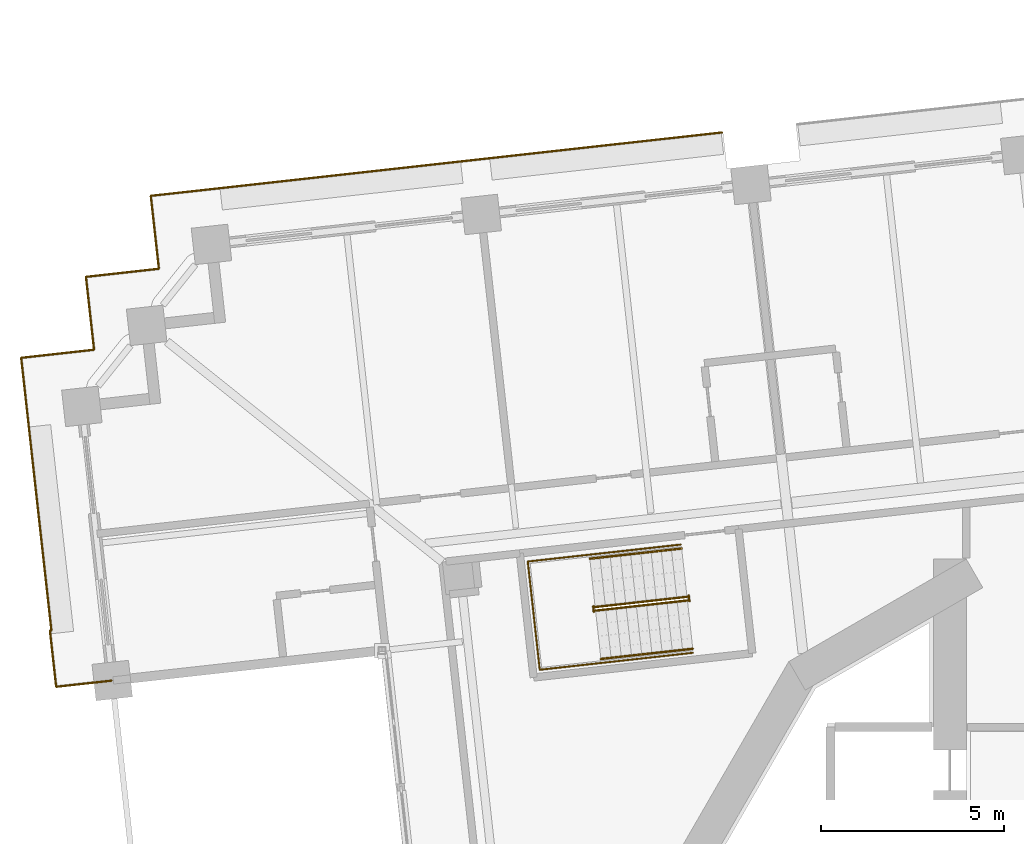
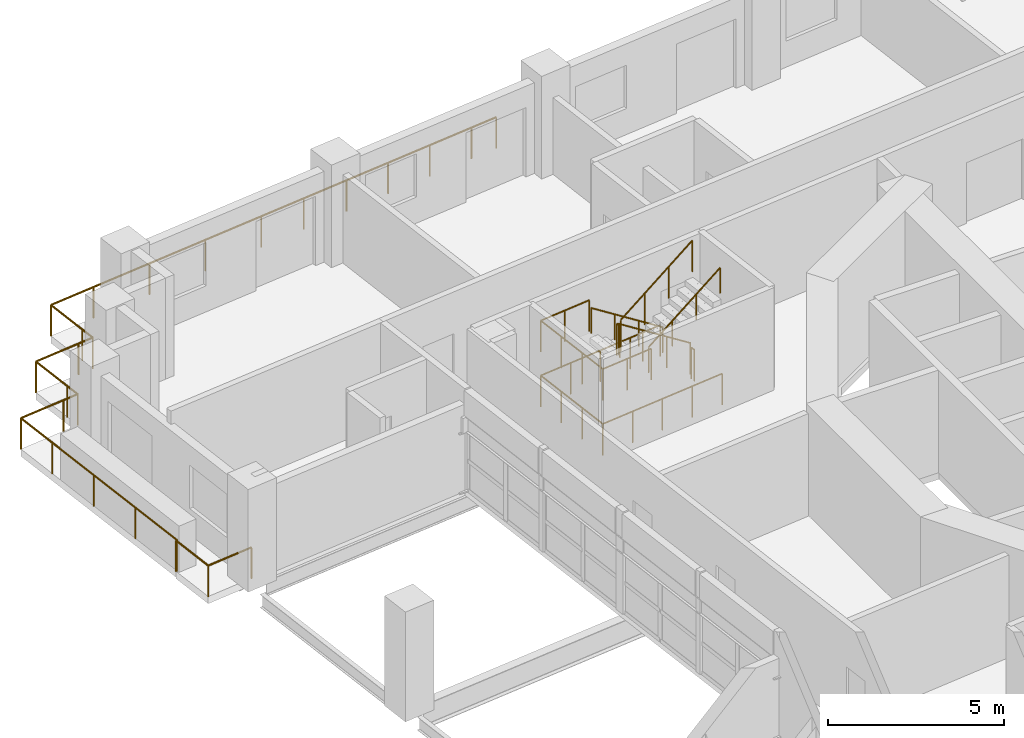
# One storey, part 18 of 21: 9 railings.
"""IFC4 building model written with IfcOpenShell, lengths in metres."""

import ifcopenshell
import ifcopenshell.guid

model = None  # the IFC model being written
_history = None  # IfcOwnerHistory: only IFC2X3 demands one
_inside = {}  # id of a spatial element -> (the spatial element, [elements in it])
_under = {}  # id of a project, library or spatial element -> (it, [spatial elements below it])
_declared = {}  # id of a project -> (the project, [libraries it declares])
_typed = {}  # id of a type object -> (the type object, [elements of that type])
_made_of = {}  # id of a material, layer set ... -> (it, [elements and type objects made of it])


def new_model(schema):
    """Start an empty IFC model of exactly this schema.

    Asked for "IFC4X3", IfcOpenShell would pick the latest addendum, in which some entities
    have other attributes; the version numbers below select the first issue.
    IFC2X3 requires an IfcOwnerHistory on every rooted entity: one is made here for all.
    """
    global model, _history
    if schema == "IFC4X3":
        model = ifcopenshell.file(schema_version=(4, 3, 0, 0))
    else:
        model = ifcopenshell.file(schema=schema)
    _inside.clear()
    _under.clear()
    _declared.clear()
    _typed.clear()
    _made_of.clear()
    _history = None
    if model.schema == "IFC2X3":
        org = make("IfcOrganization", Name="unknown")
        user = make(
            "IfcPersonAndOrganization",
            ThePerson=make("IfcPerson", FamilyName="unknown"),
            TheOrganization=org,
        )
        app = make(
            "IfcApplication",
            ApplicationDeveloper=org,
            Version="unknown",
            ApplicationFullName="unknown",
            ApplicationIdentifier="unknown",
        )
        _history = make(
            "IfcOwnerHistory",
            OwningUser=user,
            OwningApplication=app,
            ChangeAction="ADDED",
            CreationDate=0,
        )
    return model


def make(cls, **values):
    """One entity of the class cls with the attributes given. An attribute that is None is left unset."""
    return model.create_entity(
        cls, **{name: value for name, value in values.items() if value is not None}
    )


def rooted(cls, **values):
    """An entity with a GlobalId (a new one), such as an element, a storey or a relation."""
    return make(cls, GlobalId=ifcopenshell.guid.new(), OwnerHistory=_history, **values)


def si_unit(unit_type, name, prefix=None):
    """IfcSIUnit, for example si_unit("LENGTHUNIT", "METRE", prefix="MILLI")."""
    return make("IfcSIUnit", UnitType=unit_type, Prefix=prefix, Name=name)


def assignment(units):
    """IfcUnitAssignment: the units of a project."""
    return None if units is None else make("IfcUnitAssignment", Units=units)


def point(xyz):
    """IfcCartesianPoint."""
    return None if xyz is None else make("IfcCartesianPoint", Coordinates=xyz)


def direction(xyz):
    """IfcDirection."""
    return None if xyz is None else make("IfcDirection", DirectionRatios=xyz)


def frame(location, z_axis=None, x_axis=None):
    """IfcAxis2Placement3D, a coordinate frame: its origin and axes. An axis left out is left unset."""
    return make(
        "IfcAxis2Placement3D",
        Location=point(location),
        Axis=direction(z_axis),
        RefDirection=direction(x_axis),
    )


def frame_2d(location, x_axis=None):
    """IfcAxis2Placement2D, a coordinate frame in the plane: its origin and x axis."""
    return make(
        "IfcAxis2Placement2D", Location=point(location), RefDirection=direction(x_axis)
    )


def origin():
    """The frame at (0, 0, 0) with its axes left unset."""
    return frame((0.0, 0.0, 0.0))


def origin_2d():
    """The frame at (0, 0) in the plane with its x axis left unset."""
    return frame_2d((0.0, 0.0))


def place(relative_to, where):
    """IfcLocalPlacement: puts the frame where relative to a parent placement (None: the world)."""
    return make(
        "IfcLocalPlacement", PlacementRelTo=relative_to, RelativePlacement=where
    )


def context(
    kind, dimensions, precision=None, world=None, true_north=None, identifier=None
):
    """IfcGeometricRepresentationContext, for example the 3D "Model" context."""
    return make(
        "IfcGeometricRepresentationContext",
        ContextIdentifier=identifier,
        ContextType=kind,
        CoordinateSpaceDimension=dimensions,
        Precision=precision,
        WorldCoordinateSystem=world,
        TrueNorth=true_north,
    )


def subcontext(parent, identifier, kind, view, scale=None):
    """IfcGeometricRepresentationSubContext, for example "Body" below "Model"."""
    return make(
        "IfcGeometricRepresentationSubContext",
        ContextIdentifier=identifier,
        ContextType=kind,
        ParentContext=parent,
        TargetScale=scale,
        TargetView=view,
    )


def project(units=None, contexts=None):
    """IfcProject with its units and contexts."""
    return rooted(
        "IfcProject",
        Name="project",
        RepresentationContexts=contexts,
        UnitsInContext=assignment(units),
    )


def spatial(cls, under=None, at=None, **own):
    """A site, building, storey or space (cls), placed at a placement, below another one or the project."""
    s = rooted(cls, ObjectPlacement=at, **own)
    if under is not None:
        _under.setdefault(under.id(), (under, []))[1].append(s)
    return s


def profile(cls, at=None, kind="AREA", **sizes):
    """A parametric profile (cls). Its sizes go by their IFC names, for example OverallWidth=200.0."""
    return make(cls, ProfileType=kind, Position=at, **sizes)


def circle(**sizes):
    """IfcCircleProfileDef."""
    return profile("IfcCircleProfileDef", **sizes)


def extrude(swept, where, along, depth):
    """IfcExtrudedAreaSolid: the profile swept, set in the frame where, extruded along a direction by depth."""
    return make(
        "IfcExtrudedAreaSolid",
        SweptArea=swept,
        Position=where,
        ExtrudedDirection=direction(along),
        Depth=depth,
    )


def shape(context_of_items, identifier, shape_type, items):
    """IfcShapeRepresentation: the items that make up one representation, for example the "Body"."""
    return make(
        "IfcShapeRepresentation",
        ContextOfItems=context_of_items,
        RepresentationIdentifier=identifier,
        RepresentationType=shape_type,
        Items=items,
    )


def material(Name=None, Category=None):
    """IfcMaterial."""
    return make("IfcMaterial", Name=Name, Category=Category)


def made_of(thing, what):
    """Note that an element or type object is made of a material, layer set ...; save() writes the relation."""
    if what is not None:
        _made_of.setdefault(what.id(), (what, []))[1].append(thing)
    return thing


def type_object(cls, material=None, **own):
    """A type object (cls), such as IfcWallType, which elements share."""
    return made_of(rooted(cls, **own), material)


def element(
    cls,
    number,
    at=None,
    inside=None,
    cuts=None,
    type_object=None,
    material=None,
    context=None,
    identifier="Body",
    shape_type=None,
    held_by="IfcProductDefinitionShape",
    body=None,
    shapes=None,
    **own,
):
    """One element of the class cls, such as IfcWall. Its Tag is "e" and its number.

    at: its placement. inside: the storey or other place that contains it. cuts: it is an
    opening in that element (IfcRelVoidsElement). A single representation is given by context,
    identifier, shape_type and body (its items); several are given by shapes. held_by: the class
    of the entity that holds the representations. save() writes the other relations.
    """
    e = rooted(cls, Tag="e%d" % number, ObjectPlacement=at, **own)
    if body is not None:
        shapes = [shape(context, identifier, shape_type, body)]
    if shapes is not None:
        e.Representation = make(held_by, Representations=shapes)
    if inside is not None:
        _inside.setdefault(inside.id(), (inside, []))[1].append(e)
    if cuts is not None:
        rooted(
            "IfcRelVoidsElement", RelatingBuildingElement=cuts, RelatedOpeningElement=e
        )
    if type_object is not None:
        _typed.setdefault(type_object.id(), (type_object, []))[1].append(e)
    return made_of(e, material)


def aggregate(whole, parts):
    """IfcRelAggregates: a whole, such as a stair, and the parts it consists of."""
    return rooted("IfcRelAggregates", RelatingObject=whole, RelatedObjects=parts)


def save(model, path):
    """Write the relations noted so far, then the file.

    IfcRelAggregates (storeys below a building ...), IfcRelContainedInSpatialStructure (elements
    in a storey), IfcRelDefinesByType, IfcRelAssociatesMaterial and IfcRelDeclares: one each for
    every whole, place, type object, material and project.
    """
    for whole, parts in _under.values():
        aggregate(whole, parts)
    for where, things in _inside.values():
        rooted(
            "IfcRelContainedInSpatialStructure",
            RelatedElements=things,
            RelatingStructure=where,
        )
    for kind, things in _typed.values():
        rooted("IfcRelDefinesByType", RelatedObjects=things, RelatingType=kind)
    for what, things in _made_of.values():
        rooted("IfcRelAssociatesMaterial", RelatedObjects=things, RelatingMaterial=what)
    for by, libraries in _declared.values():
        rooted("IfcRelDeclares", RelatingContext=by, RelatedDefinitions=libraries)
    model.write(path)


model = new_model("IFC4")

# Units and contexts
model_context = context("Model", 3, precision=1e-05, world=origin(), true_north=direction((0.0, 1.0)))
body_context = subcontext(model_context, "Body", "Model", "MODEL_VIEW")
ifc_project = project(units=[si_unit("LENGTHUNIT", "METRE"), si_unit("AREAUNIT", "SQUARE_METRE"), si_unit("VOLUMEUNIT", "CUBIC_METRE"), si_unit("PLANEANGLEUNIT", "RADIAN"), si_unit("MASSUNIT", "GRAM", prefix="KILO")], contexts=[model_context])

# Site, building, storey
site_placement = place(None, origin())
site = spatial("IfcSite", under=ifc_project, at=site_placement, CompositionType="ELEMENT")
building_placement = place(site_placement, origin())
building = spatial("IfcBuilding", under=site, at=building_placement, Name="Cantera Rosa Tower", CompositionType="ELEMENT")
storey_placement = place(building_placement, frame((0.0, 0.0, 72.89990234375)))
storey = spatial("IfcBuildingStorey", under=building, at=storey_placement, Name="L15", CompositionType="ELEMENT", Elevation=72.89990234375)

# Railings
ifc_material_1 = material(Name="Stainless steel and laminated glass", Category="steel")
railing_type_1 = type_object("IfcRailingType", Name="GUARD 1100", PredefinedType="BALUSTRADE", material=ifc_material_1)
railing_1_placement = place(storey_placement, frame((-28.279541015625, 17.285888671875, 0.0)))
element("IfcRailing", 1, at=railing_1_placement, inside=storey, type_object=railing_type_1, Name="GUARD L15-4", PredefinedType="BALUSTRADE", context=body_context, shape_type="SweptSolid", body=[
    extrude(circle(Radius=0.030029296875, at=origin_2d()), frame((0.0, 0.0, 1.070068359375), z_axis=(0.993895635261, 0.110324368158, 0.0), x_axis=(-0.110324368158, 0.993895635261, 0.0)), (0.0, 0.0, 1.0), 0.500244140625),
    extrude(circle(Radius=0.030029296875, at=origin_2d()), frame((0.4970703125, 0.05517578125, 1.070068359375), z_axis=(-0.110324368158, 0.993895635261, 0.0), x_axis=(-0.993895635261, -0.110324368158, 0.0)), (0.0, 0.0, 1.0), 0.500244140625),
    extrude(circle(Radius=0.030029296875, at=origin_2d()), frame((0.44189453125, 0.55224609375, 1.070068359375), z_axis=(-0.110360064491, 0.993891672249, 0.0), x_axis=(-0.993891672249, -0.110360064491, 0.0)), (0.0, 0.0, 1.0), 1.5),
    extrude(circle(Radius=0.030029296875, at=origin_2d()), frame((0.2763671875, 2.04296875, 1.070068359375), z_axis=(0.993893654236, 0.110342213455, 0.0), x_axis=(-0.110342213455, 0.993893654236, 0.0)), (0.0, 0.0, 1.0), 1.500244140625),
    extrude(circle(Radius=0.030029296875, at=origin_2d()), frame((1.767333984375, 2.20849609375, 1.070068359375), z_axis=(0.9938896893, 0.110377921269, 0.0), x_axis=(-0.110377921269, 0.9938896893, 0.0)), (0.0, 0.0, 1.0), 0.5),
    extrude(circle(Radius=0.030029296875, at=origin_2d()), frame((2.26416015625, 2.263671875, 1.070068359375), z_axis=(-0.110377921269, 0.9938896893, 0.0), x_axis=(-0.9938896893, -0.110377921269, 0.0)), (0.0, 0.0, 1.0), 0.5),
    extrude(circle(Radius=0.030029296875, at=origin_2d()), frame((2.208984375, 2.760498046875, 1.070068359375), z_axis=(-0.110181444005, 0.99391148972, 0.0), x_axis=(-0.99391148972, -0.110181444005, 0.0)), (0.0, 0.0, 1.0), 1.5),
    extrude(circle(Radius=0.030029296875, at=origin_2d()), frame((2.043701171875, 4.25146484375, 1.070068359375), z_axis=(0.993909513469, 0.110199269672, 0.0), x_axis=(-0.110199269672, 0.993909513469, 0.0)), (0.0, 0.0, 1.0), 1.499755859375),
    extrude(circle(Radius=0.030029296875, at=origin_2d()), frame((3.534423828125, 4.416748046875, 1.070068359375), z_axis=(0.993896343916, 0.1103179838, 0.0), x_axis=(-0.1103179838, 0.993896343916, 0.0)), (0.0, 0.0, 1.0), 5.900146484375),
    extrude(circle(Radius=0.030029296875, at=origin_2d()), frame((9.3984375, 5.067626953125, 1.070068359375), z_axis=(0.993892663362, 0.110351138256, 0.0), x_axis=(-0.110351138256, 0.993892663362, 0.0)), (0.0, 0.0, 1.0), 3.0),
    extrude(circle(Radius=0.030029296875, at=origin_2d()), frame((12.380126953125, 5.398681640625, 1.070068359375), z_axis=(0.993897260817, 0.110309722784, 0.0), x_axis=(-0.110309722784, 0.993897260817, 0.0)), (0.0, 0.0, 1.0), 4.39990234375),
    extrude(circle(Radius=0.030029296875, at=origin_2d()), frame((16.753173828125, 5.884033203125, 1.070068359375), z_axis=(0.993900832769, 0.110277534522, 0.0), x_axis=(-0.110277534522, 0.993900832769, 0.0)), (0.0, 0.0, 1.0), 0.8701171875),
    extrude(circle(Radius=0.02490234375, at=origin_2d()), origin(), (0.0, 0.0, 1.0), 1.0400390625),
    extrude(circle(Radius=0.02490234375, at=origin_2d()), frame((0.4970703125, 0.05517578125, 0.0)), (0.0, 0.0, 1.0), 1.0400390625),
    extrude(circle(Radius=0.02490234375, at=origin_2d()), frame((0.44189453125, 0.55224609375, 0.0)), (0.0, 0.0, 1.0), 1.0400390625),
    extrude(circle(Radius=0.02490234375, at=origin_2d()), frame((0.2763671875, 2.04296875, 0.0)), (0.0, 0.0, 1.0), 1.0400390625),
    extrude(circle(Radius=0.02490234375, at=origin_2d()), frame((1.767333984375, 2.20849609375, 0.0)), (0.0, 0.0, 1.0), 1.0400390625),
    extrude(circle(Radius=0.02490234375, at=origin_2d()), frame((2.26416015625, 2.263671875, 0.0)), (0.0, 0.0, 1.0), 1.0400390625),
    extrude(circle(Radius=0.02490234375, at=origin_2d()), frame((2.208984375, 2.760498046875, 0.0)), (0.0, 0.0, 1.0), 1.0400390625),
    extrude(circle(Radius=0.02490234375, at=origin_2d()), frame((2.043701171875, 4.25146484375, 0.0)), (0.0, 0.0, 1.0), 1.0400390625),
    extrude(circle(Radius=0.02490234375, at=origin_2d()), frame((3.534423828125, 4.416748046875, 0.0)), (0.0, 0.0, 1.0), 1.0400390625),
    extrude(circle(Radius=0.02490234375, at=origin_2d()), frame((5.489013671875, 4.6337890625, 0.0)), (0.0, 0.0, 1.0), 1.0400390625),
    extrude(circle(Radius=0.02490234375, at=origin_2d()), frame((7.44384765625, 4.8505859375, 0.0)), (0.0, 0.0, 1.0), 1.0400390625),
    extrude(circle(Radius=0.02490234375, at=origin_2d()), frame((9.3984375, 5.067626953125, 0.0)), (0.0, 0.0, 1.0), 1.0400390625),
    extrude(circle(Radius=0.02490234375, at=origin_2d()), frame((10.88916015625, 5.233154296875, 0.0)), (0.0, 0.0, 1.0), 1.0400390625),
    extrude(circle(Radius=0.02490234375, at=origin_2d()), frame((12.380126953125, 5.398681640625, 0.0)), (0.0, 0.0, 1.0), 1.0400390625),
    extrude(circle(Radius=0.02490234375, at=origin_2d()), frame((13.837890625, 5.560546875, 0.0)), (0.0, 0.0, 1.0), 1.0400390625),
    extrude(circle(Radius=0.02490234375, at=origin_2d()), frame((15.29541015625, 5.72216796875, 0.0)), (0.0, 0.0, 1.0), 1.0400390625),
    extrude(circle(Radius=0.02490234375, at=origin_2d()), frame((16.753173828125, 5.884033203125, 0.0)), (0.0, 0.0, 1.0), 1.0400390625),
    extrude(circle(Radius=0.02490234375, at=origin_2d()), frame((17.617919921875, 5.97998046875, 0.0)), (0.0, 0.0, 1.0), 1.0400390625),
])
railing_2_placement = place(storey_placement, frame((-27.30419921875, 8.31884765625, 0.0)))
element("IfcRailing", 2, at=railing_2_placement, inside=storey, type_object=railing_type_1, Name="GUARD L15-5", PredefinedType="BALUSTRADE", context=body_context, shape_type="SweptSolid", body=[
    extrude(circle(Radius=0.030029296875, at=origin_2d()), frame((0.0, 0.0, 1.070068359375), z_axis=(-0.993895479582, -0.110325770637, 0.0), x_axis=(0.110325770637, -0.993895479582, 0.0)), (0.0, 0.0, 1.0), 1.520263671875),
    extrude(circle(Radius=0.030029296875, at=origin_2d()), frame((-1.510986328125, -0.167724609375, 1.070068359375), z_axis=(-0.11032713688, 0.993895327923, 0.0), x_axis=(-0.993895327923, -0.11032713688, 0.0)), (0.0, 0.0, 1.0), 1.540283203125),
    extrude(circle(Radius=0.030029296875, at=origin_2d()), frame((-1.680908203125, 1.363037109375, 1.070068359375), z_axis=(0.994030677348, 0.109100928002, 0.0), x_axis=(-0.109100928002, 0.994030677348, 0.0)), (0.0, 0.0, 1.0), 0.040283203125),
    extrude(circle(Radius=0.030029296875, at=origin_2d()), frame((-1.640869140625, 1.367431640625, 1.070068359375), z_axis=(-0.110315018508, 0.993896673046, 0.0), x_axis=(-0.993896673046, -0.110315018508, 0.0)), (0.0, 0.0, 1.0), 5.979736328125),
    extrude(circle(Radius=0.030029296875, at=origin_2d()), frame((-2.300537109375, 7.310791015625, 1.070068359375), z_axis=(-0.110360064491, 0.993891672249, 0.0), x_axis=(-0.993891672249, -0.110360064491, 0.0)), (0.0, 0.0, 1.0), 1.5),
    extrude(circle(Radius=0.030029296875, at=origin_2d()), frame((-2.466064453125, 8.801513671875, 1.070068359375), z_axis=(0.993891672249, 0.110360064491, 0.0), x_axis=(-0.110360064491, 0.993891672249, 0.0)), (0.0, 0.0, 1.0), 1.5),
    extrude(circle(Radius=0.02490234375, at=origin_2d()), origin(), (0.0, 0.0, 1.0), 1.0400390625),
    extrude(circle(Radius=0.02490234375, at=origin_2d()), frame((-1.510986328125, -0.167724609375, 0.0)), (0.0, 0.0, 1.0), 1.0400390625),
    extrude(circle(Radius=0.02490234375, at=origin_2d()), frame((-1.680908203125, 1.363037109375, 0.0)), (0.0, 0.0, 1.0), 1.0400390625),
    extrude(circle(Radius=0.02490234375, at=origin_2d()), frame((-1.640869140625, 1.367431640625, 0.0)), (0.0, 0.0, 1.0), 1.0400390625),
    extrude(circle(Radius=0.02490234375, at=origin_2d()), frame((-1.86083984375, 3.3486328125, 0.0)), (0.0, 0.0, 1.0), 1.0400390625),
    extrude(circle(Radius=0.02490234375, at=origin_2d()), frame((-2.08056640625, 5.32958984375, 0.0)), (0.0, 0.0, 1.0), 1.0400390625),
    extrude(circle(Radius=0.02490234375, at=origin_2d()), frame((-2.300537109375, 7.310791015625, 0.0)), (0.0, 0.0, 1.0), 1.0400390625),
    extrude(circle(Radius=0.02490234375, at=origin_2d()), frame((-2.466064453125, 8.801513671875, 0.0)), (0.0, 0.0, 1.0), 1.0400390625),
    extrude(circle(Radius=0.02490234375, at=origin_2d()), frame((-0.975341796875, 8.967041015625, 0.0)), (0.0, 0.0, 1.0), 1.0400390625),
])
ifc_material_2 = material(Name="Steel S355J2 (EN 10025-2)", Category="steel")
railing_type_2 = type_object("IfcRailingType", Name="STAIR GUARD 1100", PredefinedType="GUARDRAIL", material=ifc_material_2)
railing_3_placement = place(storey_placement, frame((-11.614013671875, 10.60302734375, 0.190185546875)))
element("IfcRailing", 3, at=railing_3_placement, inside=storey, type_object=railing_type_2, Name="L15 ST-12 stair guard 1", PredefinedType="GUARDRAIL", context=body_context, shape_type="SweptSolid", body=[
    extrude(circle(Radius=0.02392578125, at=origin_2d()), frame((0.0, 0.0, 1.076171875), z_axis=(-0.822437355244, -0.09123050105, 0.561492468674), x_axis=(0.110250758185, -0.993903803353, 0.0)), (0.0, 0.0, 1.0), 3.04541015625),
    extrude(circle(Radius=0.02392578125, at=origin_2d()), frame((-2.504638671875, -0.27783203125, 2.7861328125), z_axis=(-0.932897555956, 0.360141847183, 0.0), x_axis=(-0.360141847183, -0.932897555956, 0.0)), (0.0, 0.0, 1.0), 0.05615234375),
    extrude(circle(Radius=0.02392578125, at=origin_2d()), frame((-2.55712890625, -0.257568359375, 2.7861328125), z_axis=(0.110610055588, -0.993863881828, 0.0), x_axis=(0.993863881828, 0.110610055588, 0.0)), (0.0, 0.0, 1.0), 0.150146484375),
    extrude(circle(Radius=0.02099609375, at=origin_2d()), origin(), (0.0, 0.0, 1.0), 1.052001953125),
    extrude(circle(Radius=0.02099609375, at=origin_2d()), frame((-0.8349609375, -0.092529296875, 0.570068359375)), (0.0, 0.0, 1.0), 1.052001953125),
    extrude(circle(Radius=0.02099609375, at=origin_2d()), frame((-1.669677734375, -0.185302734375, 1.139892578125)), (0.0, 0.0, 1.0), 1.052001953125),
    extrude(circle(Radius=0.02099609375, at=origin_2d()), frame((-2.504638671875, -0.27783203125, 1.7099609375)), (0.0, 0.0, 1.0), 1.052001953125),
    extrude(circle(Radius=0.02099609375, at=origin_2d()), frame((-2.55712890625, -0.257568359375, 1.7099609375)), (0.0, 0.0, 1.0), 1.052001953125),
    extrude(circle(Radius=0.02099609375, at=origin_2d()), frame((-2.54052734375, -0.40673828125, 1.7099609375)), (0.0, 0.0, 1.0), 1.052001953125),
])
railing_4_placement = place(storey_placement, frame((-14.107666015625, 10.227783203125, 2.090087890625)))
element("IfcRailing", 4, at=railing_4_placement, inside=storey, type_object=railing_type_2, Name="L15 ST-12 stair guard 2", PredefinedType="GUARDRAIL", context=body_context, shape_type="SweptSolid", body=[
    extrude(circle(Radius=0.02392578125, at=origin_2d()), frame((0.0, 0.0, 1.076171875), z_axis=(0.822437355244, 0.09123050105, 0.561492468674), x_axis=(-0.110250758185, 0.993903803353, 0.0)), (0.0, 0.0, 1.0), 3.04541015625),
    extrude(circle(Radius=0.02099609375, at=origin_2d()), origin(), (0.0, 0.0, 1.0), 1.052001953125),
    extrude(circle(Radius=0.02099609375, at=origin_2d()), frame((0.8349609375, 0.092529296875, 0.570068359375)), (0.0, 0.0, 1.0), 1.052001953125),
    extrude(circle(Radius=0.02099609375, at=origin_2d()), frame((1.669677734375, 0.185302734375, 1.139892578125)), (0.0, 0.0, 1.0), 1.052001953125),
    extrude(circle(Radius=0.02099609375, at=origin_2d()), frame((2.504638671875, 0.27783203125, 1.7099609375)), (0.0, 0.0, 1.0), 1.052001953125),
])
railing_5_placement = place(storey_placement, frame((-11.567138671875, 10.634521484375, 0.0)))
element("IfcRailing", 5, at=railing_5_placement, inside=storey, type_object=railing_type_2, Name="L15 ST-12 stair guard 3", PredefinedType="GUARDRAIL", context=body_context, shape_type="SweptSolid", body=[
    extrude(circle(Radius=0.02392578125, at=origin_2d()), frame((0.0, 0.0, 1.076171875), z_axis=(0.110610055588, -0.993863881828, 0.0), x_axis=(0.993863881828, 0.110610055588, 0.0)), (0.0, 0.0, 1.0), 0.150146484375),
    extrude(circle(Radius=0.02099609375, at=origin_2d()), origin(), (0.0, 0.0, 1.0), 1.052001953125),
    extrude(circle(Radius=0.02099609375, at=origin_2d()), frame((0.0166015625, -0.149169921875, 0.0)), (0.0, 0.0, 1.0), 1.052001953125),
])
railing_6_placement = place(storey_placement, frame((-11.7841796875, 12.029052734375, 0.0)))
element("IfcRailing", 6, at=railing_6_placement, inside=storey, type_object=railing_type_2, Name="L15 ST-12 stair guard 4", PredefinedType="GUARDRAIL", context=body_context, shape_type="SweptSolid", body=[
    extrude(circle(Radius=0.02392578125, at=origin_2d()), frame((0.0, 0.0, 1.076171875), z_axis=(-0.9938957856, -0.110323013767, 0.0), x_axis=(0.110323013767, -0.9938957856, 0.0)), (0.0, 0.0, 1.0), 4.197998046875),
    extrude(circle(Radius=0.02392578125, at=origin_2d()), frame((-4.17236328125, -0.463134765625, 1.076171875), z_axis=(0.11023303584, -0.99390576908, 0.0), x_axis=(0.99390576908, 0.11023303584, 0.0)), (0.0, 0.0, 1.0), 2.969970703125),
    extrude(circle(Radius=0.02392578125, at=origin_2d()), frame((-3.844970703125, -3.4150390625, 1.076171875), z_axis=(0.993896493372, 0.11031663729, 0.0), x_axis=(-0.11031663729, 0.993896493372, 0.0)), (0.0, 0.0, 1.0), 4.1982421875),
    extrude(circle(Radius=0.02099609375, at=origin_2d()), origin(), (0.0, 0.0, 1.0), 1.052001953125),
    extrude(circle(Radius=0.02099609375, at=origin_2d()), frame((-1.04296875, -0.11572265625, 0.0)), (0.0, 0.0, 1.0), 1.052001953125),
    extrude(circle(Radius=0.02099609375, at=origin_2d()), frame((-2.086181640625, -0.2314453125, 0.0)), (0.0, 0.0, 1.0), 1.052001953125),
    extrude(circle(Radius=0.02099609375, at=origin_2d()), frame((-3.12939453125, -0.347412109375, 0.0)), (0.0, 0.0, 1.0), 1.052001953125),
    extrude(circle(Radius=0.02099609375, at=origin_2d()), frame((-4.17236328125, -0.463134765625, 0.0)), (0.0, 0.0, 1.0), 1.052001953125),
    extrude(circle(Radius=0.02099609375, at=origin_2d()), frame((-4.063232421875, -1.447021484375, 0.0)), (0.0, 0.0, 1.0), 1.052001953125),
    extrude(circle(Radius=0.02099609375, at=origin_2d()), frame((-3.9541015625, -2.43115234375, 0.0)), (0.0, 0.0, 1.0), 1.052001953125),
    extrude(circle(Radius=0.02099609375, at=origin_2d()), frame((-3.844970703125, -3.4150390625, 0.0)), (0.0, 0.0, 1.0), 1.052001953125),
    extrude(circle(Radius=0.02099609375, at=origin_2d()), frame((-2.8017578125, -3.29931640625, 0.0)), (0.0, 0.0, 1.0), 1.052001953125),
    extrude(circle(Radius=0.02099609375, at=origin_2d()), frame((-1.7587890625, -3.18359375, 0.0)), (0.0, 0.0, 1.0), 1.052001953125),
    extrude(circle(Radius=0.02099609375, at=origin_2d()), frame((-0.715576171875, -3.067626953125, 0.0)), (0.0, 0.0, 1.0), 1.052001953125),
    extrude(circle(Radius=0.02099609375, at=origin_2d()), frame((0.32763671875, -2.951904296875, 0.0)), (0.0, 0.0, 1.0), 1.052001953125),
])
railing_7_placement = place(storey_placement, frame((-14.26513671875, 11.753662109375, 1.900146484375)))
element("IfcRailing", 7, at=railing_7_placement, inside=storey, type_object=railing_type_2, Name="L15 ST-12 stair guard 5", PredefinedType="GUARDRAIL", context=body_context, shape_type="SweptSolid", body=[
    extrude(circle(Radius=0.02392578125, at=origin_2d()), frame((0.0, 0.0, 1.076171875), z_axis=(-0.99389597521, -0.110321305562, 0.0), x_axis=(0.110321305562, -0.99389597521, 0.0)), (0.0, 0.0, 1.0), 1.701904296875),
    extrude(circle(Radius=0.02392578125, at=origin_2d()), frame((-1.69140625, -0.187744140625, 1.076171875), z_axis=(0.11023303584, -0.99390576908, 0.0), x_axis=(0.99390576908, 0.11023303584, 0.0)), (0.0, 0.0, 1.0), 2.969970703125),
    extrude(circle(Radius=0.02392578125, at=origin_2d()), frame((-1.364013671875, -3.1396484375, 1.076171875), z_axis=(0.993897720867, 0.110305577623, 0.0), x_axis=(-0.110305577623, 0.993897720867, 0.0)), (0.0, 0.0, 1.0), 1.7021484375),
    extrude(circle(Radius=0.02099609375, at=origin_2d()), origin(), (0.0, 0.0, 1.0), 1.052001953125),
    extrude(circle(Radius=0.02099609375, at=origin_2d()), frame((-0.845703125, -0.09375, 0.0)), (0.0, 0.0, 1.0), 1.052001953125),
    extrude(circle(Radius=0.02099609375, at=origin_2d()), frame((-1.69140625, -0.187744140625, 0.0)), (0.0, 0.0, 1.0), 1.052001953125),
    extrude(circle(Radius=0.02099609375, at=origin_2d()), frame((-1.582275390625, -1.171630859375, 0.0)), (0.0, 0.0, 1.0), 1.052001953125),
    extrude(circle(Radius=0.02099609375, at=origin_2d()), frame((-1.47314453125, -2.15576171875, 0.0)), (0.0, 0.0, 1.0), 1.052001953125),
    extrude(circle(Radius=0.02099609375, at=origin_2d()), frame((-1.364013671875, -3.1396484375, 0.0)), (0.0, 0.0, 1.0), 1.052001953125),
    extrude(circle(Radius=0.02099609375, at=origin_2d()), frame((-0.51806640625, -3.0458984375, 0.0)), (0.0, 0.0, 1.0), 1.052001953125),
    extrude(circle(Radius=0.02099609375, at=origin_2d()), frame((0.32763671875, -2.951904296875, 0.0)), (0.0, 0.0, 1.0), 1.052001953125),
])
ifc_material_3 = material(Name="Steel S355J2 (EN 10025-2)", Category="steel")
railing_type_3 = type_object("IfcRailingType", Name="STAIR HANDRAIL 900", PredefinedType="HANDRAIL", material=ifc_material_3)
railing_8_placement = place(storey_placement, frame((-11.76025390625, 11.921142578125, 0.190185546875)))
element("IfcRailing", 8, at=railing_8_placement, inside=storey, type_object=railing_type_3, Name="L15 ST-12 stair handrail 1", PredefinedType="HANDRAIL", context=body_context, shape_type="SweptSolid", body=[
    extrude(circle(Radius=0.02392578125, at=origin_2d()), frame((0.0, 0.0, 0.8759765625), z_axis=(-0.822431337597, -0.091310000343, 0.561488360321), x_axis=(0.110346460196, -0.993893182753, 0.0)), (0.0, 0.0, 1.0), 3.04541015625),
    extrude(circle(Radius=0.02099609375, at=origin_2d()), origin(), (0.0, 0.0, 1.0), 0.851806640625),
    extrude(circle(Radius=0.02099609375, at=origin_2d()), frame((-0.8349609375, -0.0927734375, 0.570068359375)), (0.0, 0.0, 1.0), 0.851806640625),
    extrude(circle(Radius=0.02099609375, at=origin_2d()), frame((-1.669677734375, -0.185302734375, 1.139892578125)), (0.0, 0.0, 1.0), 0.851806640625),
    extrude(circle(Radius=0.02099609375, at=origin_2d()), frame((-2.504638671875, -0.278076171875, 1.7099609375)), (0.0, 0.0, 1.0), 0.851806640625),
])
railing_9_placement = place(storey_placement, frame((-13.96142578125, 8.909912109375, 2.090087890625)))
element("IfcRailing", 9, at=railing_9_placement, inside=storey, type_object=railing_type_3, Name="L15 ST-12 stair handrail 2", PredefinedType="HANDRAIL", context=body_context, shape_type="SweptSolid", body=[
    extrude(circle(Radius=0.02392578125, at=origin_2d()), frame((0.0, 0.0, 0.8759765625), z_axis=(0.822437355244, 0.09123050105, 0.561492468674), x_axis=(-0.110250758185, 0.993903803353, 0.0)), (0.0, 0.0, 1.0), 3.04541015625),
    extrude(circle(Radius=0.02099609375, at=origin_2d()), origin(), (0.0, 0.0, 1.0), 0.851806640625),
    extrude(circle(Radius=0.02099609375, at=origin_2d()), frame((0.8349609375, 0.092529296875, 0.570068359375)), (0.0, 0.0, 1.0), 0.851806640625),
    extrude(circle(Radius=0.02099609375, at=origin_2d()), frame((1.669677734375, 0.185302734375, 1.139892578125)), (0.0, 0.0, 1.0), 0.851806640625),
    extrude(circle(Radius=0.02099609375, at=origin_2d()), frame((2.504638671875, 0.27783203125, 1.7099609375)), (0.0, 0.0, 1.0), 0.851806640625),
])

save(model, "model.ifc")
